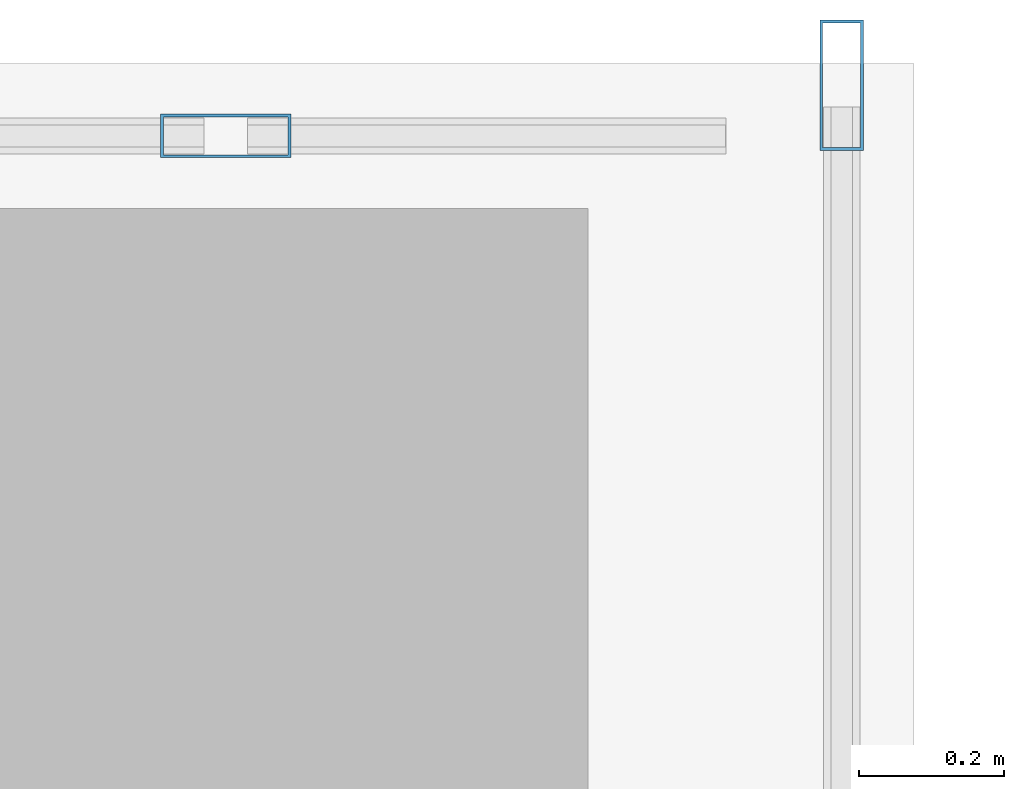
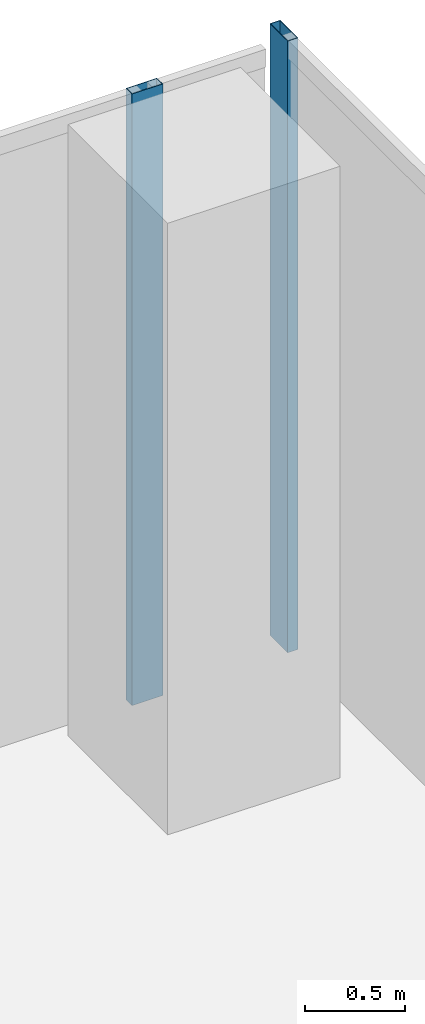
# One storey, part 25 of 38: 2 members, 2 elements without a shape of their own.
"""IFC4 building model written with IfcOpenShell, lengths in metres."""

from ifc_helpers import new_model, si_unit, direction, frame, origin, origin_2d, place, context, subcontext, project, spatial, hollow_rectangle, extrude, source, transform, mapped, material, material_profile, profile_set, type_object, element, aggregate, save


model = new_model("IFC4")

# Units and contexts
model_context = context("Model", 3, precision=1e-05, world=origin(), true_north=direction((0.0, 1.0)))
body_context = subcontext(model_context, "Body", "Model", "MODEL_VIEW")
ifc_project = project(units=[si_unit("LENGTHUNIT", "METRE"), si_unit("AREAUNIT", "SQUARE_METRE"), si_unit("VOLUMEUNIT", "CUBIC_METRE"), si_unit("PLANEANGLEUNIT", "RADIAN"), si_unit("MASSUNIT", "GRAM", prefix="KILO")], contexts=[model_context])

# Site, building, storey
site_placement = place(None, origin())
site = spatial("IfcSite", under=ifc_project, at=site_placement, CompositionType="ELEMENT")
building_placement = place(site_placement, origin())
building = spatial("IfcBuilding", under=site, at=building_placement, Name="Khomas Fold Tower", CompositionType="ELEMENT")
storey_placement = place(building_placement, frame((0.0, 0.0, 208.699951171875)))
storey = spatial("IfcBuildingStorey", under=building, at=storey_placement, Name="L46", CompositionType="ELEMENT", Elevation=208.699951171875)

# Curtain wall, member
ifc_material_1 = material(Name="Aluminium framed double glazing", Category="aluminium")
curtain_wall_type = type_object("IfcCurtainWallType", Name="SK-Unitised clear-glass wall, office floors CW2", PredefinedType="NOTDEFINED", material=ifc_material_1)
curtain_wall_1_placement = place(storey_placement, origin())
curtain_wall_1 = element("IfcCurtainWall", 1, at=curtain_wall_1_placement, inside=storey, type_object=curtain_wall_type, Name="CW2 corner return L46 05", PredefinedType="NOTDEFINED")
ifc_material_2 = material(Name="Aluminium", Category="aluminium")
ifc_material_profile = material_profile(ifc_material_2, hollow_rectangle(XDim=0.06005859375, YDim=0.179931640625, WallThickness=0.00390625, at=origin_2d()), Name="SK-Unitised clear-glass wall, office floors mullion CW2-M")
ifc_profile_set = profile_set([ifc_material_profile], Name="Aluminium")
member_type = type_object("IfcMemberType", Name="SK-Unitised clear-glass wall, office floors mullion CW2-M", PredefinedType="MULLION", material=ifc_profile_set)
shared_shape = source(origin(), body_context, "Body", "SweptSolid", [
    extrude(hollow_rectangle(XDim=0.06005859375, YDim=0.179931640625, WallThickness=0.00390625, at=origin_2d()), origin(), (0.0, 0.0, 1.0), 3.75),
])
member_1_placement = place(storey_placement, frame((46.39990234375, 50.969970703125, 0.0), z_axis=(0.0, 0.0, 1.0), x_axis=(-1.0, 0.0, 0.0)))
member_1 = element("IfcMember", 2, at=member_1_placement, type_object=member_type, Name="CW2 mullion 2", PredefinedType="MULLION", context=body_context, shape_type="MappedRepresentation", body=[
    mapped(shared_shape, transform((0.0, 0.0, 0.0))),
])
aggregate(curtain_wall_1, [member_1])

curtain_wall_2_placement = place(storey_placement, origin())
curtain_wall_2 = element("IfcCurtainWall", 3, at=curtain_wall_2_placement, inside=storey, type_object=curtain_wall_type, Name="CW2 run L46 06-0", PredefinedType="NOTDEFINED")
member_2_placement = place(storey_placement, frame((45.550048828125, 50.89990234375, 0.0), z_axis=(0.0, 0.0, 1.0), x_axis=(0.0, -1.0, 0.0)))
member_2 = element("IfcMember", 4, at=member_2_placement, type_object=member_type, Name="CW2 mullion 2", PredefinedType="MULLION", context=body_context, shape_type="MappedRepresentation", body=[
    mapped(shared_shape, transform((0.0, 0.0, 0.0))),
])
aggregate(curtain_wall_2, [member_2])

save(model, "model.ifc")
